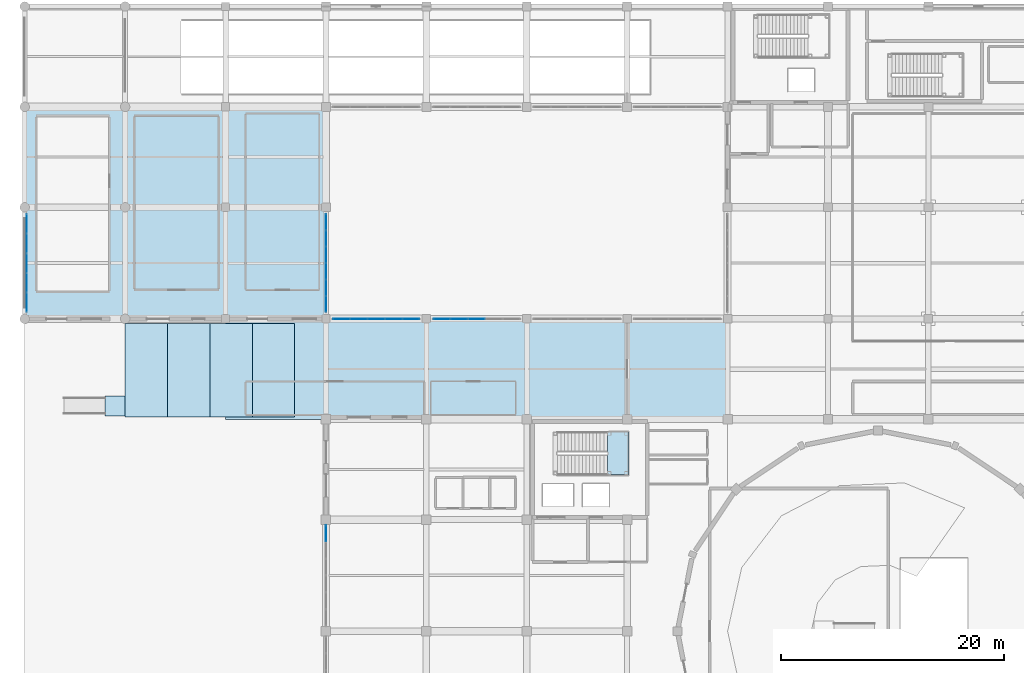
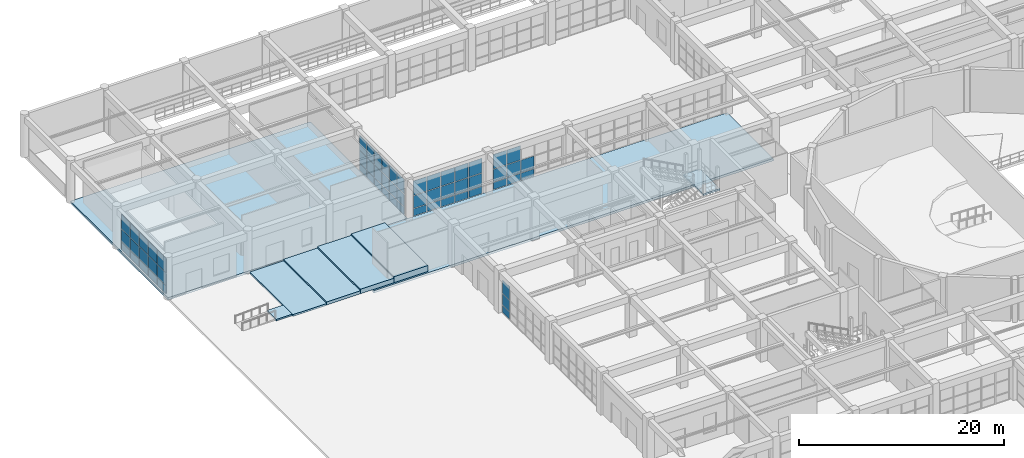
# One storey, part 89 of 128: 59 plates, 8 slabs, 7 elements without a shape of their own.
"""IFC4 building model written with IfcOpenShell, lengths in metres."""

from ifc_helpers import new_model, si_unit, direction, frame, origin, origin_2d, place, context, subcontext, project, spatial, polyline, rectangle, outline, extrude, material, layer, layer_set, type_object, element, aggregate, save


model = new_model("IFC4")

# Units and contexts
model_context = context("Model", 3, precision=1e-05, world=origin(), true_north=direction((0.0, 1.0)))
body_context = subcontext(model_context, "Body", "Model", "MODEL_VIEW")
ifc_project = project(units=[si_unit("LENGTHUNIT", "METRE"), si_unit("AREAUNIT", "SQUARE_METRE"), si_unit("VOLUMEUNIT", "CUBIC_METRE"), si_unit("PLANEANGLEUNIT", "RADIAN"), si_unit("MASSUNIT", "GRAM", prefix="KILO")], contexts=[model_context])

# Site, building, storey
site_placement = place(None, origin())
site = spatial("IfcSite", under=ifc_project, at=site_placement, CompositionType="ELEMENT")
building_placement = place(site_placement, origin())
building = spatial("IfcBuilding", under=site, at=building_placement, Name="Miravela Opera House", CompositionType="ELEMENT")
storey_placement = place(building_placement, origin())
storey = spatial("IfcBuildingStorey", under=building, at=storey_placement, Name="L00", CompositionType="ELEMENT", Elevation=0.0)

# Curtain wall, plates
ifc_material_1 = material(Name="Anodised architectural bronze aluminium 6063-T6", Category="aluminium")
curtain_wall_type_1 = type_object("IfcCurtainWallType", Name="ARC-CW-01", PredefinedType="NOTDEFINED", material=ifc_material_1)
curtain_wall_1_placement = place(storey_placement, origin())
curtain_wall_1 = element("IfcCurtainWall", 1, at=curtain_wall_1_placement, inside=storey, type_object=curtain_wall_type_1, Name="West Foyer Recessed Glazing North CW-L00-002", PredefinedType="NOTDEFINED")
ifc_material_2 = material(Name="Acoustic laminated low-E insulating glass", Category="glass")
ifc_layer_1 = layer(ifc_material_2, 0.028076171875)
ifc_layer_set_1 = layer_set([ifc_layer_1])
plate_type = type_object("IfcPlateType", Name="ARC-CWP-28", PredefinedType="CURTAIN_PANEL", material=ifc_layer_set_1)
plate_1_placement = place(storey_placement, frame((27.0, 64.775390625, 0.06494140625), z_axis=(0.0, 0.0, 1.0), x_axis=(0.0, 1.0, 0.0)))
plate_1 = element("IfcPlate", 2, at=plate_1_placement, type_object=plate_type, Name="CW-01 panel 6.1", PredefinedType="CURTAIN_PANEL", context=body_context, shape_type="SweptSolid", body=[
    extrude(rectangle(XDim=1.419189453125, YDim=0.028076171875, at=origin_2d()), origin(), (0.0, 0.0, 1.0), 0.8525390625),
])
plate_2_placement = place(storey_placement, frame((27.0, 64.775390625, 0.982421875), z_axis=(0.0, 0.0, 1.0), x_axis=(0.0, 1.0, 0.0)))
plate_2 = element("IfcPlate", 3, at=plate_2_placement, type_object=plate_type, Name="CW-01 panel 6.2", PredefinedType="CURTAIN_PANEL", context=body_context, shape_type="SweptSolid", body=[
    extrude(rectangle(XDim=1.419189453125, YDim=0.028076171875, at=origin_2d()), origin(), (0.0, 0.0, 1.0), 1.304931640625),
])
plate_3_placement = place(storey_placement, frame((27.0, 64.775390625, 2.3525390625), z_axis=(0.0, 0.0, 1.0), x_axis=(0.0, 1.0, 0.0)))
plate_3 = element("IfcPlate", 4, at=plate_3_placement, type_object=plate_type, Name="CW-01 panel 6.3", PredefinedType="CURTAIN_PANEL", context=body_context, shape_type="SweptSolid", body=[
    extrude(rectangle(XDim=1.419189453125, YDim=0.028076171875, at=origin_2d()), origin(), (0.0, 0.0, 1.0), 1.58251953125),
])
aggregate(curtain_wall_1, [plate_1, plate_2, plate_3])

curtain_wall_type_2 = type_object("IfcCurtainWallType", Name="ARC-CW-04", PredefinedType="NOTDEFINED", material=ifc_material_1)
curtain_wall_2_placement = place(storey_placement, origin())
curtain_wall_2 = element("IfcCurtainWall", 5, at=curtain_wall_2_placement, inside=storey, type_object=curtain_wall_type_2, Name="Courtyard Arcade Curtain Wall CW-L00-067", PredefinedType="NOTDEFINED")
plate_4_placement = place(storey_placement, frame((28.37890625, 84.0, 0.06005859375), z_axis=(0.0, 0.0, 1.0), x_axis=(1.0, 0.0, 0.0)))
plate_4 = element("IfcPlate", 6, at=plate_4_placement, type_object=plate_type, Name="CW-04 panel 1.1", PredefinedType="CURTAIN_PANEL", context=body_context, shape_type="SweptSolid", body=[
    extrude(rectangle(XDim=1.47802734375, YDim=0.028076171875, at=origin_2d()), origin(), (0.0, 0.0, 1.0), 0.860107421875),
])
plate_5_placement = place(storey_placement, frame((28.37890625, 84.0, 0.97998046875), z_axis=(0.0, 0.0, 1.0), x_axis=(1.0, 0.0, 0.0)))
plate_5 = element("IfcPlate", 7, at=plate_5_placement, type_object=plate_type, Name="CW-04 panel 1.2", PredefinedType="CURTAIN_PANEL", context=body_context, shape_type="SweptSolid", body=[
    extrude(rectangle(XDim=1.47802734375, YDim=0.028076171875, at=origin_2d()), origin(), (0.0, 0.0, 1.0), 1.48388671875),
])
plate_6_placement = place(storey_placement, frame((28.37890625, 84.0, 2.52392578125), z_axis=(0.0, 0.0, 1.0), x_axis=(1.0, 0.0, 0.0)))
plate_6 = element("IfcPlate", 8, at=plate_6_placement, type_object=plate_type, Name="CW-04 panel 1.3", PredefinedType="CURTAIN_PANEL", context=body_context, shape_type="SweptSolid", body=[
    extrude(rectangle(XDim=1.47802734375, YDim=0.028076171875, at=origin_2d()), origin(), (0.0, 0.0, 1.0), 1.716064453125),
])
plate_7_placement = place(storey_placement, frame((29.931884765625, 84.0, 0.06005859375), z_axis=(0.0, 0.0, 1.0), x_axis=(1.0, 0.0, 0.0)))
plate_7 = element("IfcPlate", 9, at=plate_7_placement, type_object=plate_type, Name="CW-04 panel 2.1", PredefinedType="CURTAIN_PANEL", context=body_context, shape_type="SweptSolid", body=[
    extrude(rectangle(XDim=1.508056640625, YDim=0.028076171875, at=origin_2d()), origin(), (0.0, 0.0, 1.0), 0.860107421875),
])
plate_8_placement = place(storey_placement, frame((29.931884765625, 84.0, 0.97998046875), z_axis=(0.0, 0.0, 1.0), x_axis=(1.0, 0.0, 0.0)))
plate_8 = element("IfcPlate", 10, at=plate_8_placement, type_object=plate_type, Name="CW-04 panel 2.2", PredefinedType="CURTAIN_PANEL", context=body_context, shape_type="SweptSolid", body=[
    extrude(rectangle(XDim=1.508056640625, YDim=0.028076171875, at=origin_2d()), origin(), (0.0, 0.0, 1.0), 1.48388671875),
])
plate_9_placement = place(storey_placement, frame((29.931884765625, 84.0, 2.52392578125), z_axis=(0.0, 0.0, 1.0), x_axis=(1.0, 0.0, 0.0)))
plate_9 = element("IfcPlate", 11, at=plate_9_placement, type_object=plate_type, Name="CW-04 panel 2.3", PredefinedType="CURTAIN_PANEL", context=body_context, shape_type="SweptSolid", body=[
    extrude(rectangle(XDim=1.508056640625, YDim=0.028076171875, at=origin_2d()), origin(), (0.0, 0.0, 1.0), 1.716064453125),
])
plate_10_placement = place(storey_placement, frame((31.5, 84.0, 0.06005859375), z_axis=(0.0, 0.0, 1.0), x_axis=(1.0, 0.0, 0.0)))
plate_10 = element("IfcPlate", 12, at=plate_10_placement, type_object=plate_type, Name="CW-04 panel 3.1", PredefinedType="CURTAIN_PANEL", context=body_context, shape_type="SweptSolid", body=[
    extrude(rectangle(XDim=1.508056640625, YDim=0.028076171875, at=origin_2d()), origin(), (0.0, 0.0, 1.0), 0.860107421875),
])
plate_11_placement = place(storey_placement, frame((31.5, 84.0, 0.97998046875), z_axis=(0.0, 0.0, 1.0), x_axis=(1.0, 0.0, 0.0)))
plate_11 = element("IfcPlate", 13, at=plate_11_placement, type_object=plate_type, Name="CW-04 panel 3.2", PredefinedType="CURTAIN_PANEL", context=body_context, shape_type="SweptSolid", body=[
    extrude(rectangle(XDim=1.508056640625, YDim=0.028076171875, at=origin_2d()), origin(), (0.0, 0.0, 1.0), 1.48388671875),
])
plate_12_placement = place(storey_placement, frame((31.5, 84.0, 2.52392578125), z_axis=(0.0, 0.0, 1.0), x_axis=(1.0, 0.0, 0.0)))
plate_12 = element("IfcPlate", 14, at=plate_12_placement, type_object=plate_type, Name="CW-04 panel 3.3", PredefinedType="CURTAIN_PANEL", context=body_context, shape_type="SweptSolid", body=[
    extrude(rectangle(XDim=1.508056640625, YDim=0.028076171875, at=origin_2d()), origin(), (0.0, 0.0, 1.0), 1.716064453125),
])
plate_13_placement = place(storey_placement, frame((33.068115234375, 84.0, 0.06005859375), z_axis=(0.0, 0.0, 1.0), x_axis=(1.0, 0.0, 0.0)))
plate_13 = element("IfcPlate", 15, at=plate_13_placement, type_object=plate_type, Name="CW-04 panel 4.1", PredefinedType="CURTAIN_PANEL", context=body_context, shape_type="SweptSolid", body=[
    extrude(rectangle(XDim=1.508056640625, YDim=0.028076171875, at=origin_2d()), origin(), (0.0, 0.0, 1.0), 0.860107421875),
])
plate_14_placement = place(storey_placement, frame((33.068115234375, 84.0, 0.97998046875), z_axis=(0.0, 0.0, 1.0), x_axis=(1.0, 0.0, 0.0)))
plate_14 = element("IfcPlate", 16, at=plate_14_placement, type_object=plate_type, Name="CW-04 panel 4.2", PredefinedType="CURTAIN_PANEL", context=body_context, shape_type="SweptSolid", body=[
    extrude(rectangle(XDim=1.508056640625, YDim=0.028076171875, at=origin_2d()), origin(), (0.0, 0.0, 1.0), 1.48388671875),
])
plate_15_placement = place(storey_placement, frame((33.068115234375, 84.0, 2.52392578125), z_axis=(0.0, 0.0, 1.0), x_axis=(1.0, 0.0, 0.0)))
plate_15 = element("IfcPlate", 17, at=plate_15_placement, type_object=plate_type, Name="CW-04 panel 4.3", PredefinedType="CURTAIN_PANEL", context=body_context, shape_type="SweptSolid", body=[
    extrude(rectangle(XDim=1.508056640625, YDim=0.028076171875, at=origin_2d()), origin(), (0.0, 0.0, 1.0), 1.716064453125),
])
plate_16_placement = place(storey_placement, frame((34.62109375, 84.0, 0.06005859375), z_axis=(0.0, 0.0, 1.0), x_axis=(1.0, 0.0, 0.0)))
plate_16 = element("IfcPlate", 18, at=plate_16_placement, type_object=plate_type, Name="CW-04 panel 5.1", PredefinedType="CURTAIN_PANEL", context=body_context, shape_type="SweptSolid", body=[
    extrude(rectangle(XDim=1.47802734375, YDim=0.028076171875, at=origin_2d()), origin(), (0.0, 0.0, 1.0), 0.860107421875),
])
plate_17_placement = place(storey_placement, frame((34.62109375, 84.0, 0.97998046875), z_axis=(0.0, 0.0, 1.0), x_axis=(1.0, 0.0, 0.0)))
plate_17 = element("IfcPlate", 19, at=plate_17_placement, type_object=plate_type, Name="CW-04 panel 5.2", PredefinedType="CURTAIN_PANEL", context=body_context, shape_type="SweptSolid", body=[
    extrude(rectangle(XDim=1.47802734375, YDim=0.028076171875, at=origin_2d()), origin(), (0.0, 0.0, 1.0), 1.48388671875),
])
plate_18_placement = place(storey_placement, frame((34.62109375, 84.0, 2.52392578125), z_axis=(0.0, 0.0, 1.0), x_axis=(1.0, 0.0, 0.0)))
plate_18 = element("IfcPlate", 20, at=plate_18_placement, type_object=plate_type, Name="CW-04 panel 5.3", PredefinedType="CURTAIN_PANEL", context=body_context, shape_type="SweptSolid", body=[
    extrude(rectangle(XDim=1.47802734375, YDim=0.028076171875, at=origin_2d()), origin(), (0.0, 0.0, 1.0), 1.716064453125),
])
aggregate(curtain_wall_2, [plate_4, plate_5, plate_6, plate_7, plate_8, plate_9, plate_10, plate_11, plate_12, plate_13, plate_14, plate_15, plate_16, plate_17, plate_18])

curtain_wall_3_placement = place(storey_placement, origin())
curtain_wall_3 = element("IfcCurtainWall", 21, at=curtain_wall_3_placement, inside=storey, type_object=curtain_wall_type_2, Name="Courtyard Arcade Curtain Wall CW-L00-068", PredefinedType="NOTDEFINED")
plate_19_placement = place(storey_placement, frame((37.37890625, 84.0, 0.06005859375), z_axis=(0.0, 0.0, 1.0), x_axis=(1.0, 0.0, 0.0)))
plate_19 = element("IfcPlate", 22, at=plate_19_placement, type_object=plate_type, Name="CW-04 panel 1.1", PredefinedType="CURTAIN_PANEL", context=body_context, shape_type="SweptSolid", body=[
    extrude(rectangle(XDim=1.47802734375, YDim=0.028076171875, at=origin_2d()), origin(), (0.0, 0.0, 1.0), 0.860107421875),
])
plate_20_placement = place(storey_placement, frame((37.37890625, 84.0, 0.97998046875), z_axis=(0.0, 0.0, 1.0), x_axis=(1.0, 0.0, 0.0)))
plate_20 = element("IfcPlate", 23, at=plate_20_placement, type_object=plate_type, Name="CW-04 panel 1.2", PredefinedType="CURTAIN_PANEL", context=body_context, shape_type="SweptSolid", body=[
    extrude(rectangle(XDim=1.47802734375, YDim=0.028076171875, at=origin_2d()), origin(), (0.0, 0.0, 1.0), 1.48388671875),
])
plate_21_placement = place(storey_placement, frame((37.37890625, 84.0, 2.52392578125), z_axis=(0.0, 0.0, 1.0), x_axis=(1.0, 0.0, 0.0)))
plate_21 = element("IfcPlate", 24, at=plate_21_placement, type_object=plate_type, Name="CW-04 panel 1.3", PredefinedType="CURTAIN_PANEL", context=body_context, shape_type="SweptSolid", body=[
    extrude(rectangle(XDim=1.47802734375, YDim=0.028076171875, at=origin_2d()), origin(), (0.0, 0.0, 1.0), 1.716064453125),
])
plate_22_placement = place(storey_placement, frame((38.931884765625, 84.0, 0.06005859375), z_axis=(0.0, 0.0, 1.0), x_axis=(1.0, 0.0, 0.0)))
plate_22 = element("IfcPlate", 25, at=plate_22_placement, type_object=plate_type, Name="CW-04 panel 2.1", PredefinedType="CURTAIN_PANEL", context=body_context, shape_type="SweptSolid", body=[
    extrude(rectangle(XDim=1.508056640625, YDim=0.028076171875, at=origin_2d()), origin(), (0.0, 0.0, 1.0), 0.860107421875),
])
plate_23_placement = place(storey_placement, frame((38.931884765625, 84.0, 0.97998046875), z_axis=(0.0, 0.0, 1.0), x_axis=(1.0, 0.0, 0.0)))
plate_23 = element("IfcPlate", 26, at=plate_23_placement, type_object=plate_type, Name="CW-04 panel 2.2", PredefinedType="CURTAIN_PANEL", context=body_context, shape_type="SweptSolid", body=[
    extrude(rectangle(XDim=1.508056640625, YDim=0.028076171875, at=origin_2d()), origin(), (0.0, 0.0, 1.0), 1.48388671875),
])
plate_24_placement = place(storey_placement, frame((38.931884765625, 84.0, 2.52392578125), z_axis=(0.0, 0.0, 1.0), x_axis=(1.0, 0.0, 0.0)))
plate_24 = element("IfcPlate", 27, at=plate_24_placement, type_object=plate_type, Name="CW-04 panel 2.3", PredefinedType="CURTAIN_PANEL", context=body_context, shape_type="SweptSolid", body=[
    extrude(rectangle(XDim=1.508056640625, YDim=0.028076171875, at=origin_2d()), origin(), (0.0, 0.0, 1.0), 1.716064453125),
])
plate_25_placement = place(storey_placement, frame((40.5, 84.0, 0.06005859375), z_axis=(0.0, 0.0, 1.0), x_axis=(1.0, 0.0, 0.0)))
plate_25 = element("IfcPlate", 28, at=plate_25_placement, type_object=plate_type, Name="CW-04 panel 3.1", PredefinedType="CURTAIN_PANEL", context=body_context, shape_type="SweptSolid", body=[
    extrude(rectangle(XDim=1.508056640625, YDim=0.028076171875, at=origin_2d()), origin(), (0.0, 0.0, 1.0), 0.860107421875),
])
plate_26_placement = place(storey_placement, frame((40.5, 84.0, 0.97998046875), z_axis=(0.0, 0.0, 1.0), x_axis=(1.0, 0.0, 0.0)))
plate_26 = element("IfcPlate", 29, at=plate_26_placement, type_object=plate_type, Name="CW-04 panel 3.2", PredefinedType="CURTAIN_PANEL", context=body_context, shape_type="SweptSolid", body=[
    extrude(rectangle(XDim=1.508056640625, YDim=0.028076171875, at=origin_2d()), origin(), (0.0, 0.0, 1.0), 1.48388671875),
])
aggregate(curtain_wall_3, [plate_19, plate_20, plate_21, plate_22, plate_23, plate_24, plate_25, plate_26])

curtain_wall_4_placement = place(storey_placement, origin())
curtain_wall_4 = element("IfcCurtainWall", 30, at=curtain_wall_4_placement, inside=storey, type_object=curtain_wall_type_2, Name="Courtyard Arcade Curtain Wall CW-L00-075", PredefinedType="NOTDEFINED")
plate_27_placement = place(storey_placement, frame((27.0, 85.331787109375, 0.06005859375), z_axis=(0.0, 0.0, 1.0), x_axis=(0.0, 1.0, 0.0)))
plate_27 = element("IfcPlate", 31, at=plate_27_placement, type_object=plate_type, Name="CW-04 panel 1.1", PredefinedType="CURTAIN_PANEL", context=body_context, shape_type="SweptSolid", body=[
    extrude(rectangle(XDim=1.38330078125, YDim=0.028076171875, at=origin_2d()), origin(), (0.0, 0.0, 1.0), 0.860107421875),
])
plate_28_placement = place(storey_placement, frame((27.0, 85.331787109375, 0.97998046875), z_axis=(0.0, 0.0, 1.0), x_axis=(0.0, 1.0, 0.0)))
plate_28 = element("IfcPlate", 32, at=plate_28_placement, type_object=plate_type, Name="CW-04 panel 1.2", PredefinedType="CURTAIN_PANEL", context=body_context, shape_type="SweptSolid", body=[
    extrude(rectangle(XDim=1.38330078125, YDim=0.028076171875, at=origin_2d()), origin(), (0.0, 0.0, 1.0), 1.48388671875),
])
plate_29_placement = place(storey_placement, frame((27.0, 85.331787109375, 2.52392578125), z_axis=(0.0, 0.0, 1.0), x_axis=(0.0, 1.0, 0.0)))
plate_29 = element("IfcPlate", 33, at=plate_29_placement, type_object=plate_type, Name="CW-04 panel 1.3", PredefinedType="CURTAIN_PANEL", context=body_context, shape_type="SweptSolid", body=[
    extrude(rectangle(XDim=1.38330078125, YDim=0.028076171875, at=origin_2d()), origin(), (0.0, 0.0, 1.0), 1.716064453125),
])
plate_30_placement = place(storey_placement, frame((27.0, 86.7900390625, 0.06005859375), z_axis=(0.0, 0.0, 1.0), x_axis=(0.0, 1.0, 0.0)))
plate_30 = element("IfcPlate", 34, at=plate_30_placement, type_object=plate_type, Name="CW-04 panel 2.1", PredefinedType="CURTAIN_PANEL", context=body_context, shape_type="SweptSolid", body=[
    extrude(rectangle(XDim=1.413330078125, YDim=0.028076171875, at=origin_2d()), origin(), (0.0, 0.0, 1.0), 0.860107421875),
])
plate_31_placement = place(storey_placement, frame((27.0, 86.7900390625, 0.97998046875), z_axis=(0.0, 0.0, 1.0), x_axis=(0.0, 1.0, 0.0)))
plate_31 = element("IfcPlate", 35, at=plate_31_placement, type_object=plate_type, Name="CW-04 panel 2.2", PredefinedType="CURTAIN_PANEL", context=body_context, shape_type="SweptSolid", body=[
    extrude(rectangle(XDim=1.413330078125, YDim=0.028076171875, at=origin_2d()), origin(), (0.0, 0.0, 1.0), 1.48388671875),
])
plate_32_placement = place(storey_placement, frame((27.0, 86.7900390625, 2.52392578125), z_axis=(0.0, 0.0, 1.0), x_axis=(0.0, 1.0, 0.0)))
plate_32 = element("IfcPlate", 36, at=plate_32_placement, type_object=plate_type, Name="CW-04 panel 2.3", PredefinedType="CURTAIN_PANEL", context=body_context, shape_type="SweptSolid", body=[
    extrude(rectangle(XDim=1.413330078125, YDim=0.028076171875, at=origin_2d()), origin(), (0.0, 0.0, 1.0), 1.716064453125),
])
plate_33_placement = place(storey_placement, frame((27.0, 88.263427734375, 0.06005859375), z_axis=(0.0, 0.0, 1.0), x_axis=(0.0, 1.0, 0.0)))
plate_33 = element("IfcPlate", 37, at=plate_33_placement, type_object=plate_type, Name="CW-04 panel 3.1", PredefinedType="CURTAIN_PANEL", context=body_context, shape_type="SweptSolid", body=[
    extrude(rectangle(XDim=1.413330078125, YDim=0.028076171875, at=origin_2d()), origin(), (0.0, 0.0, 1.0), 0.860107421875),
])
plate_34_placement = place(storey_placement, frame((27.0, 88.263427734375, 0.97998046875), z_axis=(0.0, 0.0, 1.0), x_axis=(0.0, 1.0, 0.0)))
plate_34 = element("IfcPlate", 38, at=plate_34_placement, type_object=plate_type, Name="CW-04 panel 3.2", PredefinedType="CURTAIN_PANEL", context=body_context, shape_type="SweptSolid", body=[
    extrude(rectangle(XDim=1.413330078125, YDim=0.028076171875, at=origin_2d()), origin(), (0.0, 0.0, 1.0), 1.48388671875),
])
plate_35_placement = place(storey_placement, frame((27.0, 88.263427734375, 2.52392578125), z_axis=(0.0, 0.0, 1.0), x_axis=(0.0, 1.0, 0.0)))
plate_35 = element("IfcPlate", 39, at=plate_35_placement, type_object=plate_type, Name="CW-04 panel 3.3", PredefinedType="CURTAIN_PANEL", context=body_context, shape_type="SweptSolid", body=[
    extrude(rectangle(XDim=1.413330078125, YDim=0.028076171875, at=origin_2d()), origin(), (0.0, 0.0, 1.0), 1.716064453125),
])
plate_36_placement = place(storey_placement, frame((27.0, 89.736572265625, 0.06005859375), z_axis=(0.0, 0.0, 1.0), x_axis=(0.0, 1.0, 0.0)))
plate_36 = element("IfcPlate", 40, at=plate_36_placement, type_object=plate_type, Name="CW-04 panel 4.1", PredefinedType="CURTAIN_PANEL", context=body_context, shape_type="SweptSolid", body=[
    extrude(rectangle(XDim=1.413330078125, YDim=0.028076171875, at=origin_2d()), origin(), (0.0, 0.0, 1.0), 0.860107421875),
])
plate_37_placement = place(storey_placement, frame((27.0, 89.736572265625, 0.97998046875), z_axis=(0.0, 0.0, 1.0), x_axis=(0.0, 1.0, 0.0)))
plate_37 = element("IfcPlate", 41, at=plate_37_placement, type_object=plate_type, Name="CW-04 panel 4.2", PredefinedType="CURTAIN_PANEL", context=body_context, shape_type="SweptSolid", body=[
    extrude(rectangle(XDim=1.413330078125, YDim=0.028076171875, at=origin_2d()), origin(), (0.0, 0.0, 1.0), 1.48388671875),
])
plate_38_placement = place(storey_placement, frame((27.0, 89.736572265625, 2.52392578125), z_axis=(0.0, 0.0, 1.0), x_axis=(0.0, 1.0, 0.0)))
plate_38 = element("IfcPlate", 42, at=plate_38_placement, type_object=plate_type, Name="CW-04 panel 4.3", PredefinedType="CURTAIN_PANEL", context=body_context, shape_type="SweptSolid", body=[
    extrude(rectangle(XDim=1.413330078125, YDim=0.028076171875, at=origin_2d()), origin(), (0.0, 0.0, 1.0), 1.716064453125),
])
plate_39_placement = place(storey_placement, frame((27.0, 91.2099609375, 0.06005859375), z_axis=(0.0, 0.0, 1.0), x_axis=(0.0, 1.0, 0.0)))
plate_39 = element("IfcPlate", 43, at=plate_39_placement, type_object=plate_type, Name="CW-04 panel 5.1", PredefinedType="CURTAIN_PANEL", context=body_context, shape_type="SweptSolid", body=[
    extrude(rectangle(XDim=1.413330078125, YDim=0.028076171875, at=origin_2d()), origin(), (0.0, 0.0, 1.0), 0.860107421875),
])
plate_40_placement = place(storey_placement, frame((27.0, 91.2099609375, 0.97998046875), z_axis=(0.0, 0.0, 1.0), x_axis=(0.0, 1.0, 0.0)))
plate_40 = element("IfcPlate", 44, at=plate_40_placement, type_object=plate_type, Name="CW-04 panel 5.2", PredefinedType="CURTAIN_PANEL", context=body_context, shape_type="SweptSolid", body=[
    extrude(rectangle(XDim=1.413330078125, YDim=0.028076171875, at=origin_2d()), origin(), (0.0, 0.0, 1.0), 1.48388671875),
])
plate_41_placement = place(storey_placement, frame((27.0, 91.2099609375, 2.52392578125), z_axis=(0.0, 0.0, 1.0), x_axis=(0.0, 1.0, 0.0)))
plate_41 = element("IfcPlate", 45, at=plate_41_placement, type_object=plate_type, Name="CW-04 panel 5.3", PredefinedType="CURTAIN_PANEL", context=body_context, shape_type="SweptSolid", body=[
    extrude(rectangle(XDim=1.413330078125, YDim=0.028076171875, at=origin_2d()), origin(), (0.0, 0.0, 1.0), 1.716064453125),
])
plate_42_placement = place(storey_placement, frame((27.0, 92.668212890625, 0.06005859375), z_axis=(0.0, 0.0, 1.0), x_axis=(0.0, 1.0, 0.0)))
plate_42 = element("IfcPlate", 46, at=plate_42_placement, type_object=plate_type, Name="CW-04 panel 6.1", PredefinedType="CURTAIN_PANEL", context=body_context, shape_type="SweptSolid", body=[
    extrude(rectangle(XDim=1.38330078125, YDim=0.028076171875, at=origin_2d()), origin(), (0.0, 0.0, 1.0), 0.860107421875),
])
plate_43_placement = place(storey_placement, frame((27.0, 92.668212890625, 0.97998046875), z_axis=(0.0, 0.0, 1.0), x_axis=(0.0, 1.0, 0.0)))
plate_43 = element("IfcPlate", 47, at=plate_43_placement, type_object=plate_type, Name="CW-04 panel 6.2", PredefinedType="CURTAIN_PANEL", context=body_context, shape_type="SweptSolid", body=[
    extrude(rectangle(XDim=1.38330078125, YDim=0.028076171875, at=origin_2d()), origin(), (0.0, 0.0, 1.0), 1.48388671875),
])
plate_44_placement = place(storey_placement, frame((27.0, 92.668212890625, 2.52392578125), z_axis=(0.0, 0.0, 1.0), x_axis=(0.0, 1.0, 0.0)))
plate_44 = element("IfcPlate", 48, at=plate_44_placement, type_object=plate_type, Name="CW-04 panel 6.3", PredefinedType="CURTAIN_PANEL", context=body_context, shape_type="SweptSolid", body=[
    extrude(rectangle(XDim=1.38330078125, YDim=0.028076171875, at=origin_2d()), origin(), (0.0, 0.0, 1.0), 1.716064453125),
])
aggregate(curtain_wall_4, [plate_27, plate_28, plate_29, plate_30, plate_31, plate_32, plate_33, plate_34, plate_35, plate_36, plate_37, plate_38, plate_39, plate_40, plate_41, plate_42, plate_43, plate_44])

curtain_wall_type_3 = type_object("IfcCurtainWallType", Name="ARC-CW-07", PredefinedType="NOTDEFINED", material=ifc_material_1)
curtain_wall_5_placement = place(storey_placement, origin())
curtain_wall_5 = element("IfcCurtainWall", 49, at=curtain_wall_5_placement, inside=storey, type_object=curtain_wall_type_3, Name="Courtyard Arcade Curtain Wall CW-L00-195", PredefinedType="NOTDEFINED")
plate_45_placement = place(storey_placement, frame((0.179931640625, 85.47900390625, 0.06005859375), z_axis=(0.0, 0.0, 1.0), x_axis=(0.0, 1.0, 0.0)))
plate_45 = element("IfcPlate", 50, at=plate_45_placement, type_object=plate_type, Name="CW-07 panel 1.1", PredefinedType="CURTAIN_PANEL", context=body_context, shape_type="SweptSolid", body=[
    extrude(rectangle(XDim=1.677978515625, YDim=0.028076171875, at=origin_2d()), origin(), (0.0, 0.0, 1.0), 0.860107421875),
])
plate_46_placement = place(storey_placement, frame((0.179931640625, 85.47900390625, 0.97998046875), z_axis=(0.0, 0.0, 1.0), x_axis=(0.0, 1.0, 0.0)))
plate_46 = element("IfcPlate", 51, at=plate_46_placement, type_object=plate_type, Name="CW-07 panel 1.2", PredefinedType="CURTAIN_PANEL", context=body_context, shape_type="SweptSolid", body=[
    extrude(rectangle(XDim=1.677978515625, YDim=0.028076171875, at=origin_2d()), origin(), (0.0, 0.0, 1.0), 1.48388671875),
])
plate_47_placement = place(storey_placement, frame((0.179931640625, 85.47900390625, 2.52392578125), z_axis=(0.0, 0.0, 1.0), x_axis=(0.0, 1.0, 0.0)))
plate_47 = element("IfcPlate", 52, at=plate_47_placement, type_object=plate_type, Name="CW-07 panel 1.3", PredefinedType="CURTAIN_PANEL", context=body_context, shape_type="SweptSolid", body=[
    extrude(rectangle(XDim=1.677978515625, YDim=0.028076171875, at=origin_2d()), origin(), (0.0, 0.0, 1.0), 1.716064453125),
])
plate_48_placement = place(storey_placement, frame((0.179931640625, 87.23193359375, 0.06005859375), z_axis=(0.0, 0.0, 1.0), x_axis=(0.0, 1.0, 0.0)))
plate_48 = element("IfcPlate", 53, at=plate_48_placement, type_object=plate_type, Name="CW-07 panel 2.1", PredefinedType="CURTAIN_PANEL", context=body_context, shape_type="SweptSolid", body=[
    extrude(rectangle(XDim=1.7080078125, YDim=0.028076171875, at=origin_2d()), origin(), (0.0, 0.0, 1.0), 0.860107421875),
])
plate_49_placement = place(storey_placement, frame((0.179931640625, 87.23193359375, 0.97998046875), z_axis=(0.0, 0.0, 1.0), x_axis=(0.0, 1.0, 0.0)))
plate_49 = element("IfcPlate", 54, at=plate_49_placement, type_object=plate_type, Name="CW-07 panel 2.2", PredefinedType="CURTAIN_PANEL", context=body_context, shape_type="SweptSolid", body=[
    extrude(rectangle(XDim=1.7080078125, YDim=0.028076171875, at=origin_2d()), origin(), (0.0, 0.0, 1.0), 1.48388671875),
])
plate_50_placement = place(storey_placement, frame((0.179931640625, 87.23193359375, 2.52392578125), z_axis=(0.0, 0.0, 1.0), x_axis=(0.0, 1.0, 0.0)))
plate_50 = element("IfcPlate", 55, at=plate_50_placement, type_object=plate_type, Name="CW-07 panel 2.3", PredefinedType="CURTAIN_PANEL", context=body_context, shape_type="SweptSolid", body=[
    extrude(rectangle(XDim=1.7080078125, YDim=0.028076171875, at=origin_2d()), origin(), (0.0, 0.0, 1.0), 1.716064453125),
])
plate_51_placement = place(storey_placement, frame((0.179931640625, 89.0, 0.06005859375), z_axis=(0.0, 0.0, 1.0), x_axis=(0.0, 1.0, 0.0)))
plate_51 = element("IfcPlate", 56, at=plate_51_placement, type_object=plate_type, Name="CW-07 panel 3.1", PredefinedType="CURTAIN_PANEL", context=body_context, shape_type="SweptSolid", body=[
    extrude(rectangle(XDim=1.7080078125, YDim=0.028076171875, at=origin_2d()), origin(), (0.0, 0.0, 1.0), 0.860107421875),
])
plate_52_placement = place(storey_placement, frame((0.179931640625, 89.0, 0.97998046875), z_axis=(0.0, 0.0, 1.0), x_axis=(0.0, 1.0, 0.0)))
plate_52 = element("IfcPlate", 57, at=plate_52_placement, type_object=plate_type, Name="CW-07 panel 3.2", PredefinedType="CURTAIN_PANEL", context=body_context, shape_type="SweptSolid", body=[
    extrude(rectangle(XDim=1.7080078125, YDim=0.028076171875, at=origin_2d()), origin(), (0.0, 0.0, 1.0), 1.48388671875),
])
plate_53_placement = place(storey_placement, frame((0.179931640625, 89.0, 2.52392578125), z_axis=(0.0, 0.0, 1.0), x_axis=(0.0, 1.0, 0.0)))
plate_53 = element("IfcPlate", 58, at=plate_53_placement, type_object=plate_type, Name="CW-07 panel 3.3", PredefinedType="CURTAIN_PANEL", context=body_context, shape_type="SweptSolid", body=[
    extrude(rectangle(XDim=1.7080078125, YDim=0.028076171875, at=origin_2d()), origin(), (0.0, 0.0, 1.0), 1.716064453125),
])
plate_54_placement = place(storey_placement, frame((0.179931640625, 90.76806640625, 0.06005859375), z_axis=(0.0, 0.0, 1.0), x_axis=(0.0, 1.0, 0.0)))
plate_54 = element("IfcPlate", 59, at=plate_54_placement, type_object=plate_type, Name="CW-07 panel 4.1", PredefinedType="CURTAIN_PANEL", context=body_context, shape_type="SweptSolid", body=[
    extrude(rectangle(XDim=1.7080078125, YDim=0.028076171875, at=origin_2d()), origin(), (0.0, 0.0, 1.0), 0.860107421875),
])
plate_55_placement = place(storey_placement, frame((0.179931640625, 90.76806640625, 0.97998046875), z_axis=(0.0, 0.0, 1.0), x_axis=(0.0, 1.0, 0.0)))
plate_55 = element("IfcPlate", 60, at=plate_55_placement, type_object=plate_type, Name="CW-07 panel 4.2", PredefinedType="CURTAIN_PANEL", context=body_context, shape_type="SweptSolid", body=[
    extrude(rectangle(XDim=1.7080078125, YDim=0.028076171875, at=origin_2d()), origin(), (0.0, 0.0, 1.0), 1.48388671875),
])
plate_56_placement = place(storey_placement, frame((0.179931640625, 90.76806640625, 2.52392578125), z_axis=(0.0, 0.0, 1.0), x_axis=(0.0, 1.0, 0.0)))
plate_56 = element("IfcPlate", 61, at=plate_56_placement, type_object=plate_type, Name="CW-07 panel 4.3", PredefinedType="CURTAIN_PANEL", context=body_context, shape_type="SweptSolid", body=[
    extrude(rectangle(XDim=1.7080078125, YDim=0.028076171875, at=origin_2d()), origin(), (0.0, 0.0, 1.0), 1.716064453125),
])
plate_57_placement = place(storey_placement, frame((0.179931640625, 92.52099609375, 0.06005859375), z_axis=(0.0, 0.0, 1.0), x_axis=(0.0, 1.0, 0.0)))
plate_57 = element("IfcPlate", 62, at=plate_57_placement, type_object=plate_type, Name="CW-07 panel 5.1", PredefinedType="CURTAIN_PANEL", context=body_context, shape_type="SweptSolid", body=[
    extrude(rectangle(XDim=1.677978515625, YDim=0.028076171875, at=origin_2d()), origin(), (0.0, 0.0, 1.0), 0.860107421875),
])
plate_58_placement = place(storey_placement, frame((0.179931640625, 92.52099609375, 0.97998046875), z_axis=(0.0, 0.0, 1.0), x_axis=(0.0, 1.0, 0.0)))
plate_58 = element("IfcPlate", 63, at=plate_58_placement, type_object=plate_type, Name="CW-07 panel 5.2", PredefinedType="CURTAIN_PANEL", context=body_context, shape_type="SweptSolid", body=[
    extrude(rectangle(XDim=1.677978515625, YDim=0.028076171875, at=origin_2d()), origin(), (0.0, 0.0, 1.0), 1.48388671875),
])
plate_59_placement = place(storey_placement, frame((0.179931640625, 92.52099609375, 2.52392578125), z_axis=(0.0, 0.0, 1.0), x_axis=(0.0, 1.0, 0.0)))
plate_59 = element("IfcPlate", 64, at=plate_59_placement, type_object=plate_type, Name="CW-07 panel 5.3", PredefinedType="CURTAIN_PANEL", context=body_context, shape_type="SweptSolid", body=[
    extrude(rectangle(XDim=1.677978515625, YDim=0.028076171875, at=origin_2d()), origin(), (0.0, 0.0, 1.0), 1.716064453125),
])
aggregate(curtain_wall_5, [plate_45, plate_46, plate_47, plate_48, plate_49, plate_50, plate_51, plate_52, plate_53, plate_54, plate_55, plate_56, plate_57, plate_58, plate_59])

# Stair, slab
ifc_material_3 = material(Name="Concrete C35/45", Category="concrete")
stair_type = type_object("IfcStairType", Name="ARC-STAIR-CORE-1680", PredefinedType="HALF_TURN_STAIR", material=ifc_material_3)
stair_placement = place(storey_placement, origin())
stair = element("IfcStair", 65, at=stair_placement, inside=storey, type_object=stair_type, Name="L00 Core K1 North Foyer and Firefighting Core Exit Stair ST-01", PredefinedType="HALF_TURN_STAIR")
ifc_layer_2 = layer(ifc_material_3, 0.199951171875)
ifc_layer_set_2 = layer_set([ifc_layer_2])
slab_type_1 = type_object("IfcSlabType", Name="ARC-LANDING-200", PredefinedType="LANDING", material=ifc_layer_set_2)
slab_1_placement = place(storey_placement, frame((0.0, 0.0, 2.35009765625)))
slab_1 = element("IfcSlab", 66, at=slab_1_placement, type_object=slab_type_1, Name="ST-01 landing 1", PredefinedType="LANDING", context=body_context, shape_type="SweptSolid", body=[
    extrude(outline(polyline([(52.219970703125, 70.0), (54.10009765625, 70.0), (54.10009765625, 73.8798828125), (52.219970703125, 73.8798828125), (52.219970703125, 70.0)])), origin(), (0.0, 0.0, 1.0), 0.199951171875),
])
aggregate(stair, [slab_1])

# Ramp, slab
ramp_type = type_object("IfcRampType", Name="ARC-RAMP-ACC-1800", PredefinedType="STRAIGHT_RUN_RAMP", material=ifc_material_3)
ramp_placement = place(storey_placement, origin())
ramp = element("IfcRamp", 67, at=ramp_placement, inside=storey, type_object=ramp_type, Name="Forecourt North Amphitheatre Accessible Ramp", PredefinedType="STRAIGHT_RUN_RAMP")
ifc_layer_3 = layer(ifc_material_3, 0.25)
ifc_layer_set_3 = layer_set([ifc_layer_3])
slab_type_2 = type_object("IfcSlabType", Name="ARC-RLANDING-250", PredefinedType="LANDING", material=ifc_layer_set_3)
slab_2_placement = place(storey_placement, origin())
slab_2 = element("IfcSlab", 68, at=slab_2_placement, type_object=slab_type_2, Name="Forecourt North Amphitheatre Accessible Ramp landing 1", PredefinedType="LANDING", context=body_context, shape_type="SweptSolid", body=[
    extrude(outline(polyline([(7.199951171875, 75.300048828125), (9.0, 75.300048828125), (9.0, 77.10009765625), (7.199951171875, 77.10009765625), (7.199951171875, 75.300048828125)])), origin(), (0.0, 0.0, 1.0), 0.179931640625),
])
aggregate(ramp, [slab_2])

# Slabs
ifc_material_4 = material(Name="Precast concrete C40/50", Category="concrete")
ifc_layer_4 = layer(ifc_material_4, 0.2099609375)
ifc_layer_set_4 = layer_set([ifc_layer_4])
slab_type_3 = type_object("IfcSlabType", Name="STR-SLAB-AMPH-210", PredefinedType="USERDEFINED", material=ifc_layer_set_4)
slab_3_placement = place(storey_placement, frame((0.0, 0.0, -0.054931640625)))
element("IfcSlab", 69, at=slab_3_placement, inside=storey, type_object=slab_type_3, Name="Stand Outdoor Amphitheatre North Tier 1", ObjectType="SEATING TIER", PredefinedType="USERDEFINED", context=body_context, shape_type="SweptSolid", body=[
    extrude(outline(polyline([(9.0, 75.199951171875), (12.800048828125, 75.199951171875), (12.800048828125, 83.60009765625), (9.0, 83.60009765625), (9.0, 75.199951171875)])), origin(), (0.0, 0.0, 1.0), 0.23486328125),
])
slab_4_placement = place(storey_placement, origin())
element("IfcSlab", 70, at=slab_4_placement, inside=storey, type_object=slab_type_3, Name="Stand Outdoor Amphitheatre North Tier 2", ObjectType="SEATING TIER", PredefinedType="USERDEFINED", context=body_context, shape_type="SweptSolid", body=[
    extrude(outline(polyline([(12.800048828125, 75.199951171875), (16.60009765625, 75.199951171875), (16.60009765625, 83.60009765625), (12.800048828125, 83.60009765625), (12.800048828125, 75.199951171875)])), origin(), (0.0, 0.0, 1.0), 0.360107421875),
])
slab_5_placement = place(storey_placement, origin())
element("IfcSlab", 71, at=slab_5_placement, inside=storey, type_object=slab_type_3, Name="Stand Outdoor Amphitheatre North Tier 3", ObjectType="SEATING TIER", PredefinedType="USERDEFINED", context=body_context, shape_type="SweptSolid", body=[
    extrude(outline(polyline([(16.60009765625, 75.199951171875), (20.39990234375, 75.199951171875), (20.39990234375, 83.60009765625), (16.60009765625, 83.60009765625), (16.60009765625, 75.199951171875)])), origin(), (0.0, 0.0, 1.0), 0.5400390625),
])
slab_6_placement = place(storey_placement, origin())
element("IfcSlab", 72, at=slab_6_placement, inside=storey, type_object=slab_type_3, Name="Stand Outdoor Amphitheatre North Tier 4", ObjectType="SEATING TIER", PredefinedType="USERDEFINED", context=body_context, shape_type="SweptSolid", body=[
    extrude(outline(polyline([(20.39990234375, 75.199951171875), (24.199951171875, 75.199951171875), (24.199951171875, 83.60009765625), (20.39990234375, 83.60009765625), (20.39990234375, 75.199951171875)])), origin(), (0.0, 0.0, 1.0), 0.719970703125),
])
ifc_layer_5 = layer(ifc_material_3, 0.280029296875)
ifc_layer_set_5 = layer_set([ifc_layer_5])
slab_type_4 = type_object("IfcSlabType", Name="STR-SLAB-L00-280", PredefinedType="FLOOR", material=ifc_layer_set_5)
slab_7_placement = place(storey_placement, frame((0.0, 0.0, -0.280029296875)))
element("IfcSlab", 73, at=slab_7_placement, inside=storey, type_object=slab_type_4, Name="Ground Level Slab SLAB-L00-V5N", PredefinedType="FLOOR", context=body_context, shape_type="SweptSolid", body=[
    extrude(outline(polyline([(0.0, 84.0), (27.0, 84.0), (27.0, 103.0), (0.0, 103.0), (0.0, 84.0)])), origin(), (0.0, 0.0, 1.0), 0.280029296875),
])
slab_8_placement = place(storey_placement, frame((0.0, 0.0, -0.280029296875)))
element("IfcSlab", 74, at=slab_8_placement, inside=storey, type_object=slab_type_4, Name="Ground Level Slab SLAB-L00-V3S", PredefinedType="FLOOR", context=body_context, shape_type="SweptSolid", body=[
    extrude(outline(polyline([(18.0, 75.0), (63.0, 75.0), (63.0, 84.0), (18.0, 84.0), (18.0, 75.0)])), origin(), (0.0, 0.0, 1.0), 0.280029296875),
])

save(model, "model.ifc")
